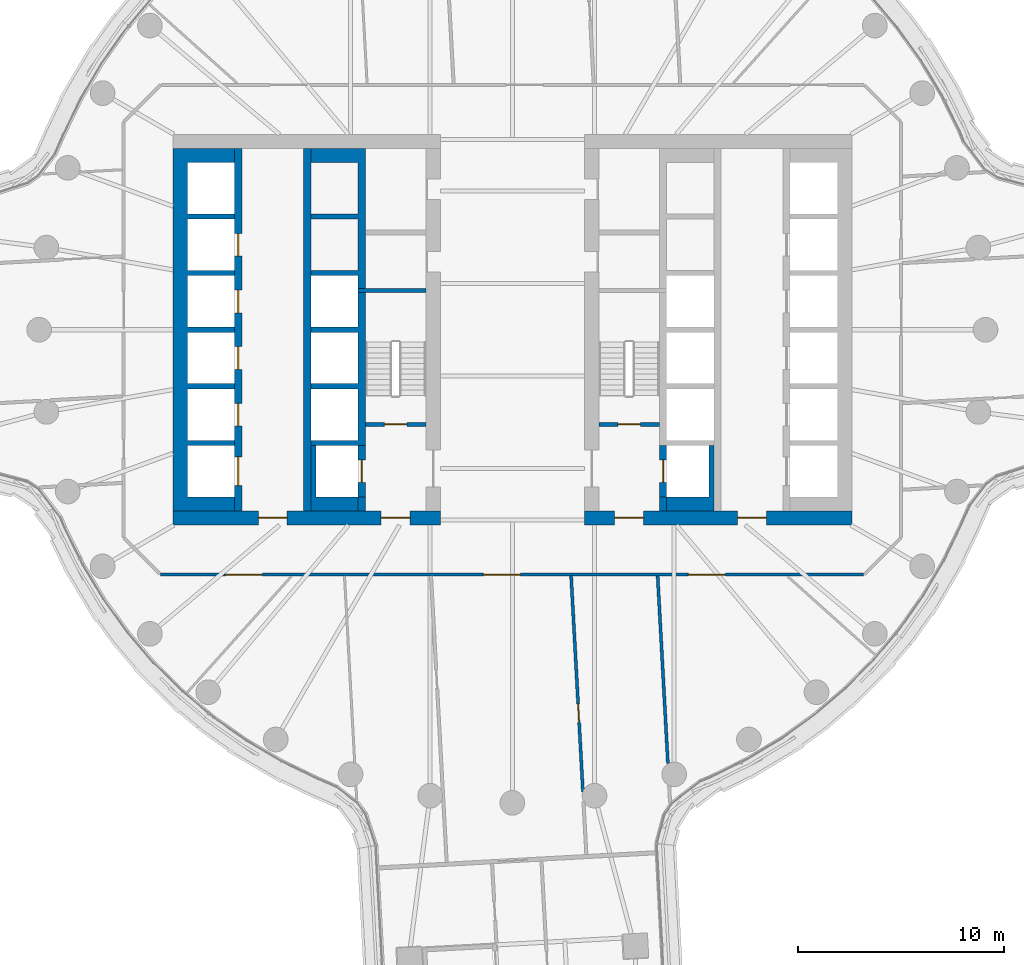
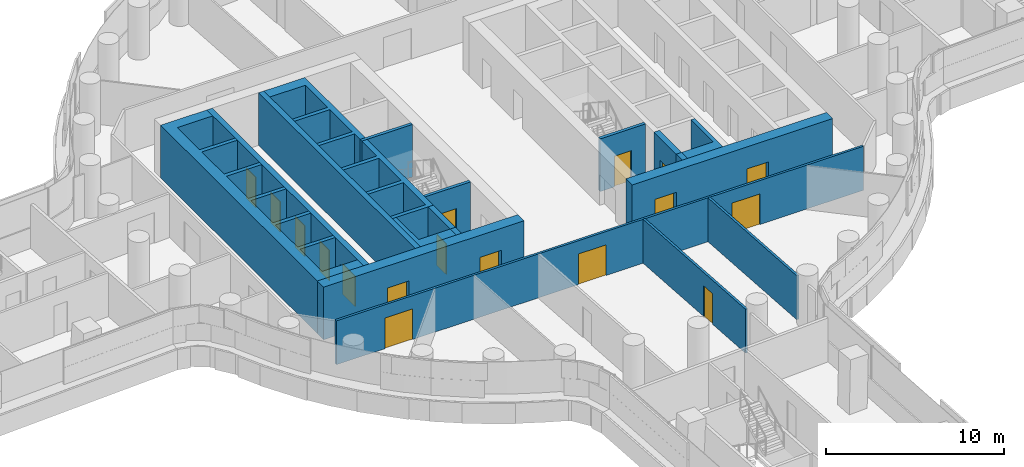
# One storey, part 20 of 31: 18 walls, 17 doors, 17 openings.
"""IFC4 building model written with IfcOpenShell, lengths in metres."""

from ifc_helpers import new_model, si_unit, direction, frame, frame_2d, origin, place, context, subcontext, project, spatial, polyline, rectangle, outline, extrude, material, layer, layer_set, type_object, element, fill, save


model = new_model("IFC4")

# Units and contexts
model_context = context("Model", 3, precision=1e-05, world=origin(), true_north=direction((0.0, 1.0)))
body_context = subcontext(model_context, "Body", "Model", "MODEL_VIEW")
ifc_project = project(units=[si_unit("LENGTHUNIT", "METRE"), si_unit("AREAUNIT", "SQUARE_METRE"), si_unit("VOLUMEUNIT", "CUBIC_METRE"), si_unit("PLANEANGLEUNIT", "RADIAN"), si_unit("MASSUNIT", "GRAM", prefix="KILO")], contexts=[model_context])

# Site, building, storey
site_placement = place(None, origin())
site = spatial("IfcSite", under=ifc_project, at=site_placement, CompositionType="ELEMENT")
building_placement = place(site_placement, origin())
building = spatial("IfcBuilding", under=site, at=building_placement, Name="Tamarind Cross Interchange Tower", CompositionType="ELEMENT")
storey_placement = place(building_placement, frame((0.0, 0.0, 45.25)))
storey = spatial("IfcBuildingStorey", under=building, at=storey_placement, Name="L09", CompositionType="ELEMENT", Elevation=45.25)

# Wall, openings, doors
ifc_material_1 = material(Name="Concrete C80", Category="concrete")
ifc_layer_1 = layer(ifc_material_1, 0.699951171875)
ifc_layer_set_1 = layer_set([ifc_layer_1], Name="Concrete C80")
wall_type_1 = type_object("IfcWallType", Name="Core wall 700 mm Concrete C80", PredefinedType="SHEAR", material=ifc_layer_set_1)
wall_1_placement = place(storey_placement, frame((-16.5, -9.14990234375, 0.0), z_axis=(0.0, 0.0, 1.0), x_axis=(1.0, 0.0, 0.0)))
wall_1 = element("IfcWall", 1, at=wall_1_placement, inside=storey, type_object=wall_type_1, Name="Core wall CWL-L09-W-S", PredefinedType="SHEAR", context=body_context, shape_type="SweptSolid", body=[
    extrude(rectangle(XDim=13.0, YDim=0.699951171875, at=frame_2d((6.5, 0.0))), origin(), (0.0, 0.0, 1.0), 3.610107421875),
])
opening_1_placement = place(wall_1_placement, frame((4.14990234375, 0.0, 0.0)))
opening_1 = element("IfcOpeningElement", 2, at=opening_1_placement, cuts=wall_1, Name="Opening DCW1", PredefinedType="OPENING", context=body_context, shape_type="SweptSolid", body=[
    extrude(rectangle(XDim=1.39990234375, YDim=2.10009765625, at=frame_2d((0.699951171875, 1.050048828125))), frame((0.0, 0.35986328125, 0.0), z_axis=(0.0, -1.0, 0.0), x_axis=(1.0, 0.0, 0.0)), (0.0, 0.0, 1.0), 0.719970703125),
])
opening_2_placement = place(wall_1_placement, frame((10.125, 0.0, 0.0)))
opening_2 = element("IfcOpeningElement", 3, at=opening_2_placement, cuts=wall_1, Name="Opening DCWF", PredefinedType="OPENING", context=body_context, shape_type="SweptSolid", body=[
    extrude(rectangle(XDim=1.39990234375, YDim=2.10009765625, at=frame_2d((0.699951171875, 1.050048828125))), frame((0.0, 0.35986328125, 0.0), z_axis=(0.0, -1.0, 0.0), x_axis=(1.0, 0.0, 0.0)), (0.0, 0.0, 1.0), 0.719970703125),
])
ifc_material_2 = material(Name="Steel, fire-resisting", Category="steel")
door_type_1 = type_object("IfcDoorType", Name="Core fire door 1400 x 2100 FD90", OperationType="SINGLE_SWING_LEFT", PredefinedType="DOOR", material=ifc_material_2)
door_1_placement = place(opening_1_placement, origin())
door_1 = element("IfcDoor", 4, at=door_1_placement, inside=storey, type_object=door_type_1, Name="L09 lift lobby door", OperationType="SINGLE_SWING_LEFT", OverallHeight=2.10009765625, OverallWidth=1.39990234375, PredefinedType="DOOR", context=body_context, shape_type="SweptSolid", body=[
    extrude(rectangle(XDim=1.39990234375, YDim=2.10009765625, at=frame_2d((0.699951171875, 1.050048828125))), frame((0.0, 0.02490234375, 0.0), z_axis=(0.0, -1.0, 0.0), x_axis=(1.0, 0.0, 0.0)), (0.0, 0.0, 1.0), 0.050048828125),
])
fill(opening_1, door_1)
door_2_placement = place(opening_2_placement, origin())
door_2 = element("IfcDoor", 5, at=door_2_placement, inside=storey, type_object=door_type_1, Name="L09 firefighting lobby end door", OperationType="SINGLE_SWING_LEFT", OverallHeight=2.10009765625, OverallWidth=1.39990234375, PredefinedType="DOOR", context=body_context, shape_type="SweptSolid", body=[
    extrude(rectangle(XDim=1.39990234375, YDim=2.10009765625, at=frame_2d((0.699951171875, 1.050048828125))), frame((0.0, 0.02490234375, 0.0), z_axis=(0.0, -1.0, 0.0), x_axis=(1.0, 0.0, 0.0)), (0.0, 0.0, 1.0), 0.050048828125),
])
fill(opening_2, door_2)

# Wall
wall_2_placement = place(storey_placement, origin())
element("IfcWall", 6, at=wall_2_placement, inside=storey, type_object=wall_type_1, Name="Core wall CWL-L09-W-A", PredefinedType="SHEAR", context=body_context, shape_type="SweptSolid", body=[
    extrude(outline(polyline([(-13.5, -8.800048828125), (-13.5, -8.125), (-15.800048828125, -8.125), (-15.800048828125, -5.625), (-13.5, -5.625), (-13.5, -5.375), (-15.800048828125, -5.375), (-15.800048828125, -2.875), (-13.5, -2.875), (-13.5, -2.625), (-15.800048828125, -2.625), (-15.800048828125, -0.125), (-13.5, -0.125), (-13.5, 0.125), (-15.800048828125, 0.125), (-15.800048828125, 2.625), (-13.5, 2.625), (-13.5, 2.875), (-15.800048828125, 2.875), (-15.800048828125, 5.375), (-13.5, 5.375), (-13.5, 5.625), (-15.800048828125, 5.625), (-15.800048828125, 8.125), (-13.5, 8.125), (-13.5, 8.800048828125), (-15.800048828125, 8.800048828125), (-16.5, 8.800048828125), (-16.5, -8.800048828125), (-15.800048828125, -8.800048828125), (-13.5, -8.800048828125)])), origin(), (0.0, 0.0, 1.0), 3.610107421875),
])

# Wall, openings, doors
wall_3_placement = place(storey_placement, frame((16.5, -9.14990234375, 0.0), z_axis=(0.0, 0.0, 1.0), x_axis=(-1.0, 0.0, 0.0)))
wall_3 = element("IfcWall", 7, at=wall_3_placement, inside=storey, type_object=wall_type_1, Name="Core wall CWL-L09-E-S", PredefinedType="SHEAR", context=body_context, shape_type="SweptSolid", body=[
    extrude(rectangle(XDim=13.0, YDim=0.699951171875, at=frame_2d((6.5, 0.0))), origin(), (0.0, 0.0, 1.0), 3.610107421875),
])
opening_3_placement = place(wall_3_placement, frame((4.14990234375, 0.0, 0.0)))
opening_3 = element("IfcOpeningElement", 8, at=opening_3_placement, cuts=wall_3, Name="Opening DCE1", PredefinedType="OPENING", context=body_context, shape_type="SweptSolid", body=[
    extrude(rectangle(XDim=1.39990234375, YDim=2.10009765625, at=frame_2d((0.699951171875, 1.050048828125))), frame((0.0, 0.35986328125, 0.0), z_axis=(0.0, -1.0, 0.0), x_axis=(1.0, 0.0, 0.0)), (0.0, 0.0, 1.0), 0.719970703125),
])
opening_4_placement = place(wall_3_placement, frame((10.125, 0.0, 0.0)))
opening_4 = element("IfcOpeningElement", 9, at=opening_4_placement, cuts=wall_3, Name="Opening DCEF", PredefinedType="OPENING", context=body_context, shape_type="SweptSolid", body=[
    extrude(rectangle(XDim=1.39990234375, YDim=2.10009765625, at=frame_2d((0.699951171875, 1.050048828125))), frame((0.0, 0.35986328125, 0.0), z_axis=(0.0, -1.0, 0.0), x_axis=(1.0, 0.0, 0.0)), (0.0, 0.0, 1.0), 0.719970703125),
])
door_3_placement = place(opening_3_placement, origin())
door_3 = element("IfcDoor", 10, at=door_3_placement, inside=storey, type_object=door_type_1, Name="L09 lift lobby door", OperationType="SINGLE_SWING_LEFT", OverallHeight=2.10009765625, OverallWidth=1.39990234375, PredefinedType="DOOR", context=body_context, shape_type="SweptSolid", body=[
    extrude(rectangle(XDim=1.39990234375, YDim=2.10009765625, at=frame_2d((0.699951171875, 1.050048828125))), frame((0.0, 0.02490234375, 0.0), z_axis=(0.0, -1.0, 0.0), x_axis=(1.0, 0.0, 0.0)), (0.0, 0.0, 1.0), 0.050048828125),
])
fill(opening_3, door_3)
door_4_placement = place(opening_4_placement, origin())
door_4 = element("IfcDoor", 11, at=door_4_placement, inside=storey, type_object=door_type_1, Name="L09 firefighting lobby end door", OperationType="SINGLE_SWING_LEFT", OverallHeight=2.10009765625, OverallWidth=1.39990234375, PredefinedType="DOOR", context=body_context, shape_type="SweptSolid", body=[
    extrude(rectangle(XDim=1.39990234375, YDim=2.10009765625, at=frame_2d((0.699951171875, 1.050048828125))), frame((0.0, 0.02490234375, 0.0), z_axis=(0.0, -1.0, 0.0), x_axis=(1.0, 0.0, 0.0)), (0.0, 0.0, 1.0), 0.050048828125),
])
fill(opening_4, door_4)

# Walls
ifc_layer_2 = layer(ifc_material_1, 0.199951171875)
ifc_layer_set_2 = layer_set([ifc_layer_2], Name="Concrete C80")
wall_type_2 = type_object("IfcWallType", Name="Core web wall 200 mm Concrete C80", PredefinedType="SHEAR", material=ifc_layer_set_2)
wall_4_placement = place(storey_placement, frame((-7.5, 1.89990234375, 0.0), z_axis=(0.0, 0.0, 1.0), x_axis=(1.0, 0.0, 0.0)))
element("IfcWall", 12, at=wall_4_placement, inside=storey, type_object=wall_type_2, Name="Core wall CWL-L09-W-BD", PredefinedType="SHEAR", context=body_context, shape_type="SweptSolid", body=[
    extrude(rectangle(XDim=3.300048828125, YDim=0.199951171875, at=frame_2d((1.64990234375, 0.0))), origin(), (0.0, 0.0, 1.0), 3.610107421875),
])
ifc_layer_3 = layer(ifc_material_1, 0.35009765625)
ifc_layer_set_3 = layer_set([ifc_layer_3], Name="Concrete C80")
wall_type_3 = type_object("IfcWallType", Name="Core web wall 350 mm Concrete C80", PredefinedType="SHEAR", material=ifc_layer_set_3)
wall_5_placement = place(storey_placement, origin())
element("IfcWall", 13, at=wall_5_placement, inside=storey, type_object=wall_type_3, Name="Core wall CWL-L09-W-BN", PredefinedType="SHEAR", context=body_context, shape_type="SweptSolid", body=[
    extrude(outline(polyline([(-9.800048828125, -5.375), (-9.800048828125, -5.625), (-7.5, -5.625), (-7.14990234375, -5.625), (-7.14990234375, 8.800048828125), (-7.5, 8.800048828125), (-9.800048828125, 8.800048828125), (-9.800048828125, 8.125), (-7.5, 8.125), (-7.5, 5.625), (-9.800048828125, 5.625), (-9.800048828125, 5.375), (-7.5, 5.375), (-7.5, 2.875), (-9.800048828125, 2.875), (-9.800048828125, 2.625), (-7.5, 2.625), (-7.5, 0.125), (-9.800048828125, 0.125), (-9.800048828125, -0.125), (-7.5, -0.125), (-7.5, -2.625), (-9.800048828125, -2.625), (-9.800048828125, -2.875), (-7.5, -2.875), (-7.5, -5.375), (-9.800048828125, -5.375)])), origin(), (0.0, 0.0, 1.0), 3.610107421875),
])
wall_6_placement = place(storey_placement, origin())
element("IfcWall", 14, at=wall_6_placement, inside=storey, type_object=wall_type_3, Name="Core wall CWL-L09-W-BS", PredefinedType="SHEAR", context=body_context, shape_type="SweptSolid", body=[
    extrude(outline(polyline([(-7.5, -8.125), (-9.550048828125, -8.125), (-9.550048828125, -5.625), (-9.800048828125, -5.625), (-9.800048828125, -8.125), (-9.800048828125, -8.800048828125), (-7.5, -8.800048828125), (-7.5, -8.125)])), origin(), (0.0, 0.0, 1.0), 3.610107421875),
])
wall_7_placement = place(storey_placement, frame((-7.324951171875, -8.800048828125, 0.0), z_axis=(0.0, 0.0, 1.0), x_axis=(0.0, 1.0, 0.0)))
element("IfcWall", 15, at=wall_7_placement, inside=storey, type_object=wall_type_3, Name="Core wall CWL-L09-W-BW", PredefinedType="SHEAR", context=body_context, shape_type="SweptSolid", body=[
    extrude(rectangle(XDim=0.675048828125, YDim=0.35009765625, at=frame_2d((0.33740234375, 0.0))), origin(), (0.0, 0.0, 1.0), 3.610107421875),
])

# Wall, openings, doors
wall_8_placement = place(storey_placement, frame((-13.324951171875, -8.800048828125, 0.0), z_axis=(0.0, 0.0, 1.0), x_axis=(0.0, 1.0, 0.0)))
wall_8 = element("IfcWall", 16, at=wall_8_placement, inside=storey, type_object=wall_type_3, Name="Core wall CWL-L09-W-LA", PredefinedType="SHEAR", context=body_context, shape_type="SweptSolid", body=[
    extrude(rectangle(XDim=17.60009765625, YDim=0.35009765625, at=frame_2d((8.800048828125, 0.0))), origin(), (0.0, 0.0, 1.0), 3.610107421875),
])
opening_5_placement = place(wall_8_placement, frame((1.22509765625, 0.0, 0.0)))
opening_5 = element("IfcOpeningElement", 17, at=opening_5_placement, cuts=wall_8, Name="Opening LD1L09", PredefinedType="OPENING", context=body_context, shape_type="SweptSolid", body=[
    extrude(rectangle(XDim=1.39990234375, YDim=2.10009765625, at=frame_2d((0.699951171875, 1.050048828125))), frame((0.0, 0.18505859375, 0.0), z_axis=(0.0, -1.0, 0.0), x_axis=(1.0, 0.0, 0.0)), (0.0, 0.0, 1.0), 0.3701171875),
])
opening_6_placement = place(wall_8_placement, frame((4.125, 0.0, 0.0)))
opening_6 = element("IfcOpeningElement", 18, at=opening_6_placement, cuts=wall_8, Name="Opening LD2L09", PredefinedType="OPENING", context=body_context, shape_type="SweptSolid", body=[
    extrude(rectangle(XDim=1.10009765625, YDim=2.10009765625, at=frame_2d((0.550048828125, 1.050048828125))), frame((0.0, 0.18505859375, 0.0), z_axis=(0.0, -1.0, 0.0), x_axis=(1.0, 0.0, 0.0)), (0.0, 0.0, 1.0), 0.3701171875),
])
opening_7_placement = place(wall_8_placement, frame((6.875, 0.0, 0.0)))
opening_7 = element("IfcOpeningElement", 19, at=opening_7_placement, cuts=wall_8, Name="Opening LD3L09", PredefinedType="OPENING", context=body_context, shape_type="SweptSolid", body=[
    extrude(rectangle(XDim=1.10009765625, YDim=2.10009765625, at=frame_2d((0.550048828125, 1.050048828125))), frame((0.0, 0.18505859375, 0.0), z_axis=(0.0, -1.0, 0.0), x_axis=(1.0, 0.0, 0.0)), (0.0, 0.0, 1.0), 0.3701171875),
])
opening_8_placement = place(wall_8_placement, frame((9.625, 0.0, 0.0)))
opening_8 = element("IfcOpeningElement", 20, at=opening_8_placement, cuts=wall_8, Name="Opening LD4L09", PredefinedType="OPENING", context=body_context, shape_type="SweptSolid", body=[
    extrude(rectangle(XDim=1.10009765625, YDim=2.10009765625, at=frame_2d((0.550048828125, 1.050048828125))), frame((0.0, 0.18505859375, 0.0), z_axis=(0.0, -1.0, 0.0), x_axis=(1.0, 0.0, 0.0)), (0.0, 0.0, 1.0), 0.3701171875),
])
opening_9_placement = place(wall_8_placement, frame((12.375, 0.0, 0.0)))
opening_9 = element("IfcOpeningElement", 21, at=opening_9_placement, cuts=wall_8, Name="Opening LD5L09", PredefinedType="OPENING", context=body_context, shape_type="SweptSolid", body=[
    extrude(rectangle(XDim=1.10009765625, YDim=2.10009765625, at=frame_2d((0.550048828125, 1.050048828125))), frame((0.0, 0.18505859375, 0.0), z_axis=(0.0, -1.0, 0.0), x_axis=(1.0, 0.0, 0.0)), (0.0, 0.0, 1.0), 0.3701171875),
])
ifc_material_3 = material(Name="Stainless steel panel", Category="steel")
door_type_2 = type_object("IfcDoorType", Name="Lift landing door 1100 x 2100 E 120", OperationType="SLIDING_TO_LEFT", PredefinedType="DOOR", material=ifc_material_3)
door_5_placement = place(opening_6_placement, origin())
door_5 = element("IfcDoor", 22, at=door_5_placement, inside=storey, type_object=door_type_2, Name="L09 landing door LF2", OperationType="SLIDING_TO_LEFT", OverallHeight=2.10009765625, OverallWidth=1.10009765625, PredefinedType="DOOR", context=body_context, shape_type="SweptSolid", body=[
    extrude(rectangle(XDim=1.10009765625, YDim=2.10009765625, at=frame_2d((0.550048828125, 1.050048828125))), frame((0.0, 0.02490234375, 0.0), z_axis=(0.0, -1.0, 0.0), x_axis=(1.0, 0.0, 0.0)), (0.0, 0.0, 1.0), 0.050048828125),
])
fill(opening_6, door_5)
door_6_placement = place(opening_7_placement, origin())
door_6 = element("IfcDoor", 23, at=door_6_placement, inside=storey, type_object=door_type_2, Name="L09 landing door LF3", OperationType="SLIDING_TO_LEFT", OverallHeight=2.10009765625, OverallWidth=1.10009765625, PredefinedType="DOOR", context=body_context, shape_type="SweptSolid", body=[
    extrude(rectangle(XDim=1.10009765625, YDim=2.10009765625, at=frame_2d((0.550048828125, 1.050048828125))), frame((0.0, 0.02490234375, 0.0), z_axis=(0.0, -1.0, 0.0), x_axis=(1.0, 0.0, 0.0)), (0.0, 0.0, 1.0), 0.050048828125),
])
fill(opening_7, door_6)
door_7_placement = place(opening_8_placement, origin())
door_7 = element("IfcDoor", 24, at=door_7_placement, inside=storey, type_object=door_type_2, Name="L09 landing door LF4", OperationType="SLIDING_TO_LEFT", OverallHeight=2.10009765625, OverallWidth=1.10009765625, PredefinedType="DOOR", context=body_context, shape_type="SweptSolid", body=[
    extrude(rectangle(XDim=1.10009765625, YDim=2.10009765625, at=frame_2d((0.550048828125, 1.050048828125))), frame((0.0, 0.02490234375, 0.0), z_axis=(0.0, -1.0, 0.0), x_axis=(1.0, 0.0, 0.0)), (0.0, 0.0, 1.0), 0.050048828125),
])
fill(opening_8, door_7)
door_8_placement = place(opening_9_placement, origin())
door_8 = element("IfcDoor", 25, at=door_8_placement, inside=storey, type_object=door_type_2, Name="L09 landing door LF5", OperationType="SLIDING_TO_LEFT", OverallHeight=2.10009765625, OverallWidth=1.10009765625, PredefinedType="DOOR", context=body_context, shape_type="SweptSolid", body=[
    extrude(rectangle(XDim=1.10009765625, YDim=2.10009765625, at=frame_2d((0.550048828125, 1.050048828125))), frame((0.0, 0.02490234375, 0.0), z_axis=(0.0, -1.0, 0.0), x_axis=(1.0, 0.0, 0.0)), (0.0, 0.0, 1.0), 0.050048828125),
])
fill(opening_9, door_8)
door_type_3 = type_object("IfcDoorType", Name="Lift landing door 1400 x 2100 E 120", OperationType="SLIDING_TO_LEFT", PredefinedType="DOOR", material=ifc_material_3)
door_9_placement = place(opening_5_placement, origin())
door_9 = element("IfcDoor", 26, at=door_9_placement, inside=storey, type_object=door_type_3, Name="L09 landing door LF1", OperationType="SLIDING_TO_LEFT", OverallHeight=2.10009765625, OverallWidth=1.39990234375, PredefinedType="DOOR", context=body_context, shape_type="SweptSolid", body=[
    extrude(rectangle(XDim=1.39990234375, YDim=2.10009765625, at=frame_2d((0.699951171875, 1.050048828125))), frame((0.0, 0.02490234375, 0.0), z_axis=(0.0, -1.0, 0.0), x_axis=(1.0, 0.0, 0.0)), (0.0, 0.0, 1.0), 0.050048828125),
])
fill(opening_5, door_9)

# Wall
wall_9_placement = place(storey_placement, frame((-9.97509765625, -8.800048828125, 0.0), z_axis=(0.0, 0.0, 1.0), x_axis=(0.0, 1.0, 0.0)))
element("IfcWall", 27, at=wall_9_placement, inside=storey, type_object=wall_type_3, Name="Core wall CWL-L09-W-LB", PredefinedType="SHEAR", context=body_context, shape_type="SweptSolid", body=[
    extrude(rectangle(XDim=17.60009765625, YDim=0.35009765625, at=frame_2d((8.800048828125, 0.0))), origin(), (0.0, 0.0, 1.0), 3.610107421875),
])

# Wall, opening, door
wall_10_placement = place(storey_placement, frame((-7.324951171875, -8.125, 0.0), z_axis=(0.0, 0.0, 1.0), x_axis=(0.0, 1.0, 0.0)))
wall_10 = element("IfcWall", 28, at=wall_10_placement, inside=storey, type_object=wall_type_3, Name="Core wall CWL-L09-W-FF", PredefinedType="SHEAR", context=body_context, shape_type="SweptSolid", body=[
    extrude(rectangle(XDim=2.5, YDim=0.35009765625, at=frame_2d((1.25, 0.0))), origin(), (0.0, 0.0, 1.0), 3.610107421875),
])
opening_10_placement = place(wall_10_placement, frame((0.699951171875, 0.0, 0.0)))
opening_10 = element("IfcOpeningElement", 29, at=opening_10_placement, cuts=wall_10, Name="Opening LD7L09", PredefinedType="OPENING", context=body_context, shape_type="SweptSolid", body=[
    extrude(rectangle(XDim=1.10009765625, YDim=2.10009765625, at=frame_2d((0.550048828125, 1.050048828125))), frame((0.0, 0.18505859375, 0.0), z_axis=(0.0, -1.0, 0.0), x_axis=(1.0, 0.0, 0.0)), (0.0, 0.0, 1.0), 0.3701171875),
])
door_10_placement = place(opening_10_placement, origin())
door_10 = element("IfcDoor", 30, at=door_10_placement, inside=storey, type_object=door_type_2, Name="L09 landing door LF7", OperationType="SLIDING_TO_LEFT", OverallHeight=2.10009765625, OverallWidth=1.10009765625, PredefinedType="DOOR", context=body_context, shape_type="SweptSolid", body=[
    extrude(rectangle(XDim=1.10009765625, YDim=2.10009765625, at=frame_2d((0.550048828125, 1.050048828125))), frame((0.0, 0.02490234375, 0.0), z_axis=(0.0, -1.0, 0.0), x_axis=(1.0, 0.0, 0.0)), (0.0, 0.0, 1.0), 0.050048828125),
])
fill(opening_10, door_10)

# Walls
wall_11_placement = place(storey_placement, origin())
element("IfcWall", 31, at=wall_11_placement, inside=storey, type_object=wall_type_3, Name="Core wall CWL-L09-E-BS", PredefinedType="SHEAR", context=body_context, shape_type="SweptSolid", body=[
    extrude(outline(polyline([(7.5, -8.125), (7.5, -8.800048828125), (9.800048828125, -8.800048828125), (9.800048828125, -8.125), (9.800048828125, -5.625), (9.550048828125, -5.625), (9.550048828125, -8.125), (7.5, -8.125)])), origin(), (0.0, 0.0, 1.0), 3.610107421875),
])
wall_12_placement = place(storey_placement, frame((7.324951171875, -8.800048828125, 0.0), z_axis=(0.0, 0.0, 1.0), x_axis=(0.0, 1.0, 0.0)))
element("IfcWall", 32, at=wall_12_placement, inside=storey, type_object=wall_type_3, Name="Core wall CWL-L09-E-BW", PredefinedType="SHEAR", context=body_context, shape_type="SweptSolid", body=[
    extrude(rectangle(XDim=0.675048828125, YDim=0.35009765625, at=frame_2d((0.33740234375, 0.0))), origin(), (0.0, 0.0, 1.0), 3.610107421875),
])

# Wall, opening, door
wall_13_placement = place(storey_placement, frame((7.324951171875, -8.125, 0.0), z_axis=(0.0, 0.0, 1.0), x_axis=(0.0, 1.0, 0.0)))
wall_13 = element("IfcWall", 33, at=wall_13_placement, inside=storey, type_object=wall_type_3, Name="Core wall CWL-L09-E-FF", PredefinedType="SHEAR", context=body_context, shape_type="SweptSolid", body=[
    extrude(rectangle(XDim=2.5, YDim=0.35009765625, at=frame_2d((1.25, 0.0))), origin(), (0.0, 0.0, 1.0), 3.610107421875),
])
opening_11_placement = place(wall_13_placement, frame((0.699951171875, 0.0, 0.0)))
opening_11 = element("IfcOpeningElement", 34, at=opening_11_placement, cuts=wall_13, Name="Opening LD19L09", PredefinedType="OPENING", context=body_context, shape_type="SweptSolid", body=[
    extrude(rectangle(XDim=1.10009765625, YDim=2.10009765625, at=frame_2d((0.550048828125, 1.050048828125))), frame((0.0, 0.18505859375, 0.0), z_axis=(0.0, -1.0, 0.0), x_axis=(1.0, 0.0, 0.0)), (0.0, 0.0, 1.0), 0.3701171875),
])
door_11_placement = place(opening_11_placement, origin())
door_11 = element("IfcDoor", 35, at=door_11_placement, inside=storey, type_object=door_type_2, Name="L09 landing door LF19", OperationType="SLIDING_TO_LEFT", OverallHeight=2.10009765625, OverallWidth=1.10009765625, PredefinedType="DOOR", context=body_context, shape_type="SweptSolid", body=[
    extrude(rectangle(XDim=1.10009765625, YDim=2.10009765625, at=frame_2d((0.550048828125, 1.050048828125))), frame((0.0, 0.02490234375, 0.0), z_axis=(0.0, -1.0, 0.0), x_axis=(1.0, 0.0, 0.0)), (0.0, 0.0, 1.0), 0.050048828125),
])
fill(opening_11, door_11)

ifc_material_4 = material(Name="Gypsum board partition on steel studs", Category="steel")
ifc_layer_4 = layer(ifc_material_4, 0.14990234375)
ifc_layer_set_4 = layer_set([ifc_layer_4], Name="Gypsum board partition on steel studs")
wall_type_4 = type_object("IfcWallType", Name="Partition 150 mm EI 120", PredefinedType="PARTITIONING", material=ifc_layer_set_4)
wall_14_placement = place(storey_placement, frame((2.855224609375, -11.9599609375, 0.0), z_axis=(0.0, 0.0, 1.0), x_axis=(0.054718779994, -0.998501805264, 0.0)))
wall_14 = element("IfcWall", 36, at=wall_14_placement, inside=storey, type_object=wall_type_4, Name="Partition L09-018", PredefinedType="PARTITIONING", context=body_context, shape_type="SweptSolid", body=[
    extrude(rectangle(XDim=10.52978515625, YDim=0.14990234375, at=frame_2d((5.264892578125, 0.0))), origin(), (0.0, 0.0, 1.0), 3.010009765625),
])
opening_12_placement = place(wall_14_placement, frame((6.239990234375, 0.0, 0.0)))
opening_12 = element("IfcOpeningElement", 37, at=opening_12_placement, cuts=wall_14, Name="Opening D14", PredefinedType="OPENING", context=body_context, shape_type="SweptSolid", body=[
    extrude(rectangle(XDim=0.89990234375, YDim=2.10009765625, at=frame_2d((0.449951171875, 1.050048828125))), frame((0.0, 0.0849609375, 0.0), z_axis=(0.0, -1.0, 0.0), x_axis=(1.0, 0.0, 0.0)), (0.0, 0.0, 1.0), 0.169921875),
])
ifc_material_5 = material(Name="Fire-resisting door set")
door_type_4 = type_object("IfcDoorType", Name="Interior door 900 x 2100 FD60S", OperationType="SINGLE_SWING_LEFT", PredefinedType="DOOR", material=ifc_material_5)
door_12_placement = place(opening_12_placement, origin())
door_12 = element("IfcDoor", 38, at=door_12_placement, inside=storey, type_object=door_type_4, Name="Door D14", OperationType="SINGLE_SWING_LEFT", OverallHeight=2.10009765625, OverallWidth=0.89990234375, PredefinedType="DOOR", context=body_context, shape_type="SweptSolid", body=[
    extrude(rectangle(XDim=0.89990234375, YDim=2.10009765625, at=frame_2d((0.449951171875, 1.050048828125))), frame((0.0, 0.02490234375, 0.0), z_axis=(0.0, -1.0, 0.0), x_axis=(1.0, 0.0, 0.0)), (0.0, 0.0, 1.0), 0.050048828125),
])
fill(opening_12, door_12)

# Wall
wall_15_placement = place(storey_placement, frame((7.061279296875, -11.9599609375, 0.0), z_axis=(0.0, 0.0, 1.0), x_axis=(0.054713906198, -0.998502072341, 0.0)))
element("IfcWall", 39, at=wall_15_placement, inside=storey, type_object=wall_type_4, Name="Partition L09-023", PredefinedType="PARTITIONING", context=body_context, shape_type="SweptSolid", body=[
    extrude(rectangle(XDim=9.138427734375, YDim=0.14990234375, at=frame_2d((4.5693359375, 0.0))), origin(), (0.0, 0.0, 1.0), 3.010009765625),
])

# Wall, openings, doors
wall_16_placement = place(storey_placement, frame((-17.10009765625, -11.89990234375, 0.0), z_axis=(0.0, 0.0, 1.0), x_axis=(1.0, 0.0, 0.0)))
wall_16 = element("IfcWall", 40, at=wall_16_placement, inside=storey, type_object=wall_type_4, Name="Partition L09-034", PredefinedType="PARTITIONING", context=body_context, shape_type="SweptSolid", body=[
    extrude(rectangle(XDim=34.1650390625, YDim=0.14990234375, at=frame_2d((17.08251953125, 0.0))), origin(), (0.0, 0.0, 1.0), 3.010009765625),
])
opening_13_placement = place(wall_16_placement, frame((15.69189453125, 0.0, 0.0)))
opening_13 = element("IfcOpeningElement", 41, at=opening_13_placement, cuts=wall_16, Name="Opening D18", PredefinedType="OPENING", context=body_context, shape_type="SweptSolid", body=[
    extrude(rectangle(XDim=1.800048828125, YDim=2.10009765625, at=frame_2d((0.89990234375, 1.050048828125))), frame((0.0, 0.0849609375, 0.0), z_axis=(0.0, -1.0, 0.0), x_axis=(1.0, 0.0, 0.0)), (0.0, 0.0, 1.0), 0.169921875),
])
opening_14_placement = place(wall_16_placement, frame((3.14990234375, 0.0, 0.0)))
opening_14 = element("IfcOpeningElement", 42, at=opening_14_placement, cuts=wall_16, Name="Opening D19", PredefinedType="OPENING", context=body_context, shape_type="SweptSolid", body=[
    extrude(rectangle(XDim=1.800048828125, YDim=2.10009765625, at=frame_2d((0.89990234375, 1.050048828125))), frame((0.0, 0.0849609375, 0.0), z_axis=(0.0, -1.0, 0.0), x_axis=(1.0, 0.0, 0.0)), (0.0, 0.0, 1.0), 0.169921875),
])
opening_15_placement = place(wall_16_placement, frame((25.657958984375, 0.0, 0.0)))
opening_15 = element("IfcOpeningElement", 43, at=opening_15_placement, cuts=wall_16, Name="Opening D20", PredefinedType="OPENING", context=body_context, shape_type="SweptSolid", body=[
    extrude(rectangle(XDim=1.800048828125, YDim=2.10009765625, at=frame_2d((0.89990234375, 1.050048828125))), frame((0.0, 0.0849609375, 0.0), z_axis=(0.0, -1.0, 0.0), x_axis=(1.0, 0.0, 0.0)), (0.0, 0.0, 1.0), 0.169921875),
])
door_type_5 = type_object("IfcDoorType", Name="Interior door 1800 x 2100 FD60S", OperationType="DOUBLE_DOOR_SINGLE_SWING", PredefinedType="DOOR", material=ifc_material_5)
door_13_placement = place(opening_13_placement, origin())
door_13 = element("IfcDoor", 44, at=door_13_placement, inside=storey, type_object=door_type_5, Name="Door D18", OperationType="DOUBLE_DOOR_SINGLE_SWING", OverallHeight=2.10009765625, OverallWidth=1.800048828125, PredefinedType="DOOR", context=body_context, shape_type="SweptSolid", body=[
    extrude(rectangle(XDim=1.800048828125, YDim=2.10009765625, at=frame_2d((0.89990234375, 1.050048828125))), frame((0.0, 0.02490234375, 0.0), z_axis=(0.0, -1.0, 0.0), x_axis=(1.0, 0.0, 0.0)), (0.0, 0.0, 1.0), 0.050048828125),
])
fill(opening_13, door_13)
door_14_placement = place(opening_14_placement, frame((1.800048828125, 0.0, 0.0), z_axis=(0.0, 0.0, 1.0), x_axis=(-1.0, 0.0, 0.0)))
door_14 = element("IfcDoor", 45, at=door_14_placement, inside=storey, type_object=door_type_5, Name="Door D19", OperationType="DOUBLE_DOOR_SINGLE_SWING", OverallHeight=2.10009765625, OverallWidth=1.800048828125, PredefinedType="DOOR", context=body_context, shape_type="SweptSolid", body=[
    extrude(rectangle(XDim=1.800048828125, YDim=2.10009765625, at=frame_2d((0.89990234375, 1.050048828125))), frame((0.0, 0.02490234375, 0.0), z_axis=(0.0, -1.0, 0.0), x_axis=(1.0, 0.0, 0.0)), (0.0, 0.0, 1.0), 0.050048828125),
])
fill(opening_14, door_14)
door_15_placement = place(opening_15_placement, frame((1.800048828125, 0.0, 0.0), z_axis=(0.0, 0.0, 1.0), x_axis=(-1.0, 0.0, 0.0)))
door_15 = element("IfcDoor", 46, at=door_15_placement, inside=storey, type_object=door_type_5, Name="Door D20", OperationType="DOUBLE_DOOR_SINGLE_SWING", OverallHeight=2.10009765625, OverallWidth=1.800048828125, PredefinedType="DOOR", context=body_context, shape_type="SweptSolid", body=[
    extrude(rectangle(XDim=1.800048828125, YDim=2.10009765625, at=frame_2d((0.89990234375, 1.050048828125))), frame((0.0, 0.02490234375, 0.0), z_axis=(0.0, -1.0, 0.0), x_axis=(1.0, 0.0, 0.0)), (0.0, 0.0, 1.0), 0.050048828125),
])
fill(opening_15, door_15)

# Wall, opening, door
ifc_material_6 = material(Name="Concrete C40", Category="concrete")
ifc_layer_5 = layer(ifc_material_6, 0.199951171875)
ifc_layer_set_5 = layer_set([ifc_layer_5], Name="Concrete C40")
wall_type_5 = type_object("IfcWallType", Name="Stair shaft wall 200 mm Concrete C40", PredefinedType="SHEAR", material=ifc_layer_set_5)
wall_17_placement = place(storey_placement, frame((-7.14990234375, -4.60009765625, 0.0), z_axis=(0.0, 0.0, 1.0), x_axis=(1.0, 0.0, 0.0)))
wall_17 = element("IfcWall", 47, at=wall_17_placement, inside=storey, type_object=wall_type_5, Name="Core wall CWL-L09-W-SD", PredefinedType="SHEAR", context=body_context, shape_type="SweptSolid", body=[
    extrude(rectangle(XDim=2.949951171875, YDim=0.199951171875, at=frame_2d((1.47509765625, 0.0))), origin(), (0.0, 0.0, 1.0), 3.610107421875),
])
opening_16_placement = place(wall_17_placement, frame((0.925048828125, 0.0, 0.0)))
opening_16 = element("IfcOpeningElement", 48, at=opening_16_placement, cuts=wall_17, Name="Opening DCW6", PredefinedType="OPENING", context=body_context, shape_type="SweptSolid", body=[
    extrude(rectangle(XDim=1.10009765625, YDim=2.10009765625, at=frame_2d((0.550048828125, 1.050048828125))), frame((0.0, 0.10986328125, 0.0), z_axis=(0.0, -1.0, 0.0), x_axis=(1.0, 0.0, 0.0)), (0.0, 0.0, 1.0), 0.219970703125),
])
door_type_6 = type_object("IfcDoorType", Name="Core fire door 1100 x 2100 FD90", OperationType="SINGLE_SWING_LEFT", PredefinedType="DOOR", material=ifc_material_2)
door_16_placement = place(opening_16_placement, origin())
door_16 = element("IfcDoor", 49, at=door_16_placement, inside=storey, type_object=door_type_6, Name="L09 stair door", OperationType="SINGLE_SWING_LEFT", OverallHeight=2.10009765625, OverallWidth=1.10009765625, PredefinedType="DOOR", context=body_context, shape_type="SweptSolid", body=[
    extrude(rectangle(XDim=1.10009765625, YDim=2.10009765625, at=frame_2d((0.550048828125, 1.050048828125))), frame((0.0, 0.02490234375, 0.0), z_axis=(0.0, -1.0, 0.0), x_axis=(1.0, 0.0, 0.0)), (0.0, 0.0, 1.0), 0.050048828125),
])
fill(opening_16, door_16)

wall_18_placement = place(storey_placement, frame((7.14990234375, -4.60009765625, 0.0), z_axis=(0.0, 0.0, 1.0), x_axis=(-1.0, 0.0, 0.0)))
wall_18 = element("IfcWall", 50, at=wall_18_placement, inside=storey, type_object=wall_type_5, Name="Core wall CWL-L09-E-SD", PredefinedType="SHEAR", context=body_context, shape_type="SweptSolid", body=[
    extrude(rectangle(XDim=2.949951171875, YDim=0.199951171875, at=frame_2d((1.47509765625, 0.0))), origin(), (0.0, 0.0, 1.0), 3.610107421875),
])
opening_17_placement = place(wall_18_placement, frame((0.925048828125, 0.0, 0.0)))
opening_17 = element("IfcOpeningElement", 51, at=opening_17_placement, cuts=wall_18, Name="Opening DCE6", PredefinedType="OPENING", context=body_context, shape_type="SweptSolid", body=[
    extrude(rectangle(XDim=1.10009765625, YDim=2.10009765625, at=frame_2d((0.550048828125, 1.050048828125))), frame((0.0, 0.10986328125, 0.0), z_axis=(0.0, -1.0, 0.0), x_axis=(1.0, 0.0, 0.0)), (0.0, 0.0, 1.0), 0.219970703125),
])
door_17_placement = place(opening_17_placement, origin())
door_17 = element("IfcDoor", 52, at=door_17_placement, inside=storey, type_object=door_type_6, Name="L09 stair door", OperationType="SINGLE_SWING_LEFT", OverallHeight=2.10009765625, OverallWidth=1.10009765625, PredefinedType="DOOR", context=body_context, shape_type="SweptSolid", body=[
    extrude(rectangle(XDim=1.10009765625, YDim=2.10009765625, at=frame_2d((0.550048828125, 1.050048828125))), frame((0.0, 0.02490234375, 0.0), z_axis=(0.0, -1.0, 0.0), x_axis=(1.0, 0.0, 0.0)), (0.0, 0.0, 1.0), 0.050048828125),
])
fill(opening_17, door_17)

save(model, "model.ifc")
